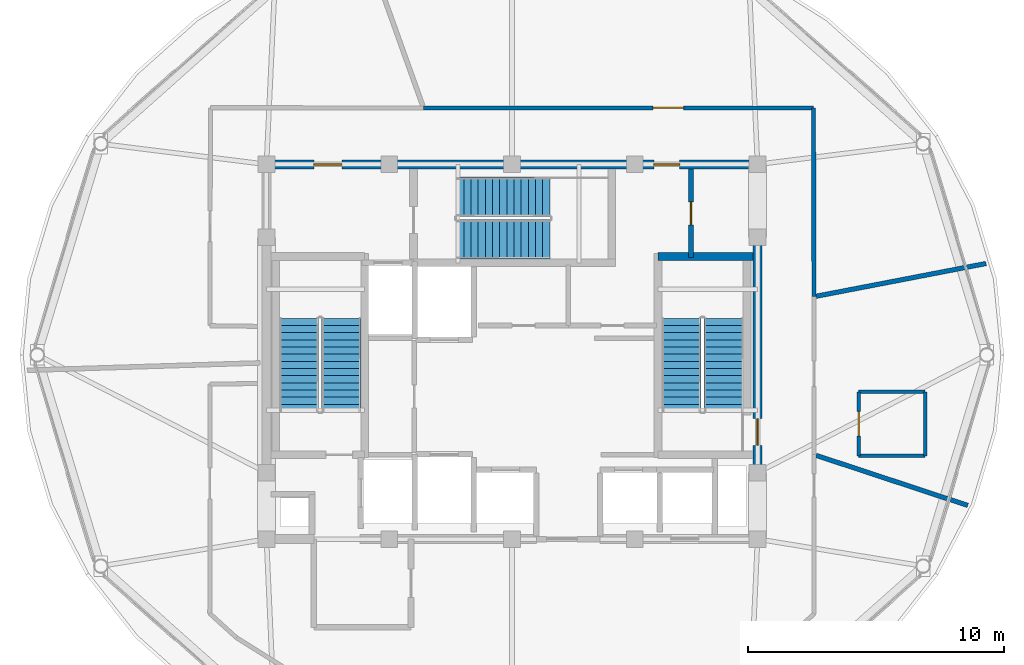
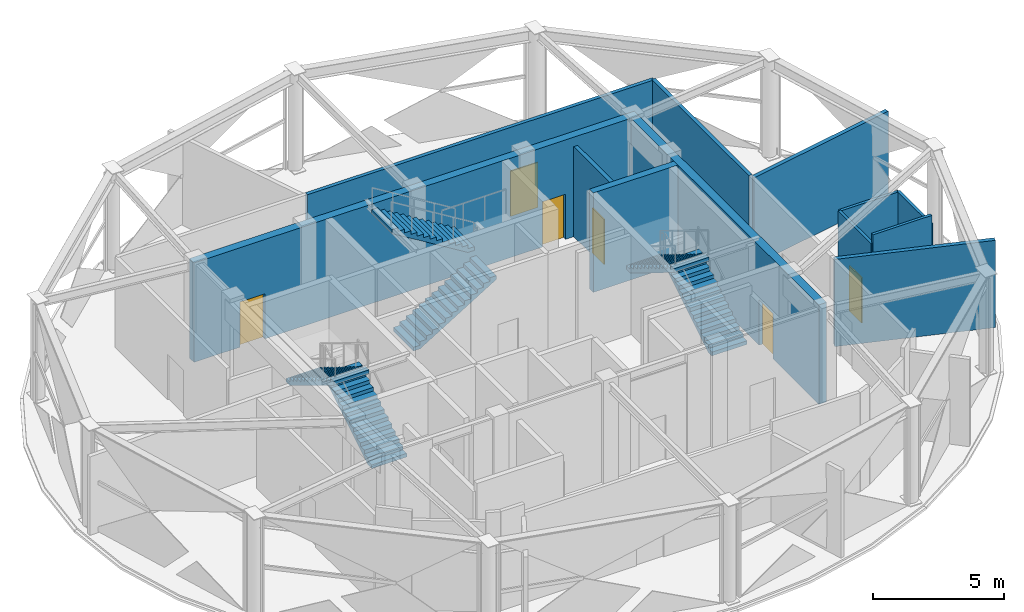
# One storey, part 18 of 22: 12 walls, 6 doors, 6 stair flights, 6 openings, 3 elements without a shape of their own.
"""IFC4 building model written with IfcOpenShell, lengths in metres."""

import ifcopenshell
import ifcopenshell.guid

model = None  # the IFC model being written
_history = None  # IfcOwnerHistory: only IFC2X3 demands one
_inside = {}  # id of a spatial element -> (the spatial element, [elements in it])
_under = {}  # id of a project, library or spatial element -> (it, [spatial elements below it])
_declared = {}  # id of a project -> (the project, [libraries it declares])
_typed = {}  # id of a type object -> (the type object, [elements of that type])
_made_of = {}  # id of a material, layer set ... -> (it, [elements and type objects made of it])


def new_model(schema):
    """Start an empty IFC model of exactly this schema.

    Asked for "IFC4X3", IfcOpenShell would pick the latest addendum, in which some entities
    have other attributes; the version numbers below select the first issue.
    IFC2X3 requires an IfcOwnerHistory on every rooted entity: one is made here for all.
    """
    global model, _history
    if schema == "IFC4X3":
        model = ifcopenshell.file(schema_version=(4, 3, 0, 0))
    else:
        model = ifcopenshell.file(schema=schema)
    _inside.clear()
    _under.clear()
    _declared.clear()
    _typed.clear()
    _made_of.clear()
    _history = None
    if model.schema == "IFC2X3":
        org = make("IfcOrganization", Name="unknown")
        user = make(
            "IfcPersonAndOrganization",
            ThePerson=make("IfcPerson", FamilyName="unknown"),
            TheOrganization=org,
        )
        app = make(
            "IfcApplication",
            ApplicationDeveloper=org,
            Version="unknown",
            ApplicationFullName="unknown",
            ApplicationIdentifier="unknown",
        )
        _history = make(
            "IfcOwnerHistory",
            OwningUser=user,
            OwningApplication=app,
            ChangeAction="ADDED",
            CreationDate=0,
        )
    return model


def make(cls, **values):
    """One entity of the class cls with the attributes given. An attribute that is None is left unset."""
    return model.create_entity(
        cls, **{name: value for name, value in values.items() if value is not None}
    )


def rooted(cls, **values):
    """An entity with a GlobalId (a new one), such as an element, a storey or a relation."""
    return make(cls, GlobalId=ifcopenshell.guid.new(), OwnerHistory=_history, **values)


def si_unit(unit_type, name, prefix=None):
    """IfcSIUnit, for example si_unit("LENGTHUNIT", "METRE", prefix="MILLI")."""
    return make("IfcSIUnit", UnitType=unit_type, Prefix=prefix, Name=name)


def assignment(units):
    """IfcUnitAssignment: the units of a project."""
    return None if units is None else make("IfcUnitAssignment", Units=units)


def point(xyz):
    """IfcCartesianPoint."""
    return None if xyz is None else make("IfcCartesianPoint", Coordinates=xyz)


def direction(xyz):
    """IfcDirection."""
    return None if xyz is None else make("IfcDirection", DirectionRatios=xyz)


def frame(location, z_axis=None, x_axis=None):
    """IfcAxis2Placement3D, a coordinate frame: its origin and axes. An axis left out is left unset."""
    return make(
        "IfcAxis2Placement3D",
        Location=point(location),
        Axis=direction(z_axis),
        RefDirection=direction(x_axis),
    )


def frame_2d(location, x_axis=None):
    """IfcAxis2Placement2D, a coordinate frame in the plane: its origin and x axis."""
    return make(
        "IfcAxis2Placement2D", Location=point(location), RefDirection=direction(x_axis)
    )


def origin():
    """The frame at (0, 0, 0) with its axes left unset."""
    return frame((0.0, 0.0, 0.0))


def place(relative_to, where):
    """IfcLocalPlacement: puts the frame where relative to a parent placement (None: the world)."""
    return make(
        "IfcLocalPlacement", PlacementRelTo=relative_to, RelativePlacement=where
    )


def context(
    kind, dimensions, precision=None, world=None, true_north=None, identifier=None
):
    """IfcGeometricRepresentationContext, for example the 3D "Model" context."""
    return make(
        "IfcGeometricRepresentationContext",
        ContextIdentifier=identifier,
        ContextType=kind,
        CoordinateSpaceDimension=dimensions,
        Precision=precision,
        WorldCoordinateSystem=world,
        TrueNorth=true_north,
    )


def subcontext(parent, identifier, kind, view, scale=None):
    """IfcGeometricRepresentationSubContext, for example "Body" below "Model"."""
    return make(
        "IfcGeometricRepresentationSubContext",
        ContextIdentifier=identifier,
        ContextType=kind,
        ParentContext=parent,
        TargetScale=scale,
        TargetView=view,
    )


def project(units=None, contexts=None):
    """IfcProject with its units and contexts."""
    return rooted(
        "IfcProject",
        Name="project",
        RepresentationContexts=contexts,
        UnitsInContext=assignment(units),
    )


def spatial(cls, under=None, at=None, **own):
    """A site, building, storey or space (cls), placed at a placement, below another one or the project."""
    s = rooted(cls, ObjectPlacement=at, **own)
    if under is not None:
        _under.setdefault(under.id(), (under, []))[1].append(s)
    return s


def polyline(points):
    """IfcPolyline through the points."""
    return make("IfcPolyline", Points=[point(p) for p in points])


def profile(cls, at=None, kind="AREA", **sizes):
    """A parametric profile (cls). Its sizes go by their IFC names, for example OverallWidth=200.0."""
    return make(cls, ProfileType=kind, Position=at, **sizes)


def rectangle(**sizes):
    """IfcRectangleProfileDef."""
    return profile("IfcRectangleProfileDef", **sizes)


def outline(outer, holes=None, kind="AREA"):
    """IfcArbitraryClosedProfileDef: a profile drawn as a closed curve; with holes, ...WithVoids."""
    if holes is None:
        return make("IfcArbitraryClosedProfileDef", ProfileType=kind, OuterCurve=outer)
    return make(
        "IfcArbitraryProfileDefWithVoids",
        ProfileType=kind,
        OuterCurve=outer,
        InnerCurves=holes,
    )


def extrude(swept, where, along, depth):
    """IfcExtrudedAreaSolid: the profile swept, set in the frame where, extruded along a direction by depth."""
    return make(
        "IfcExtrudedAreaSolid",
        SweptArea=swept,
        Position=where,
        ExtrudedDirection=direction(along),
        Depth=depth,
    )


def shape(context_of_items, identifier, shape_type, items):
    """IfcShapeRepresentation: the items that make up one representation, for example the "Body"."""
    return make(
        "IfcShapeRepresentation",
        ContextOfItems=context_of_items,
        RepresentationIdentifier=identifier,
        RepresentationType=shape_type,
        Items=items,
    )


def material(Name=None, Category=None):
    """IfcMaterial."""
    return make("IfcMaterial", Name=Name, Category=Category)


def layer(
    of_material, thickness, ventilated=None, Name=None, Category=None, Priority=None
):
    """IfcMaterialLayer: one layer of a wall or slab, of a material (None: an air gap)."""
    return make(
        "IfcMaterialLayer",
        Material=of_material,
        LayerThickness=thickness,
        IsVentilated=ventilated,
        Name=Name,
        Category=Category,
        Priority=Priority,
    )


def layer_set(layers, Name=None):
    """IfcMaterialLayerSet."""
    return make("IfcMaterialLayerSet", MaterialLayers=layers, LayerSetName=Name)


def made_of(thing, what):
    """Note that an element or type object is made of a material, layer set ...; save() writes the relation."""
    if what is not None:
        _made_of.setdefault(what.id(), (what, []))[1].append(thing)
    return thing


def type_object(cls, material=None, **own):
    """A type object (cls), such as IfcWallType, which elements share."""
    return made_of(rooted(cls, **own), material)


def element(
    cls,
    number,
    at=None,
    inside=None,
    cuts=None,
    type_object=None,
    material=None,
    context=None,
    identifier="Body",
    shape_type=None,
    held_by="IfcProductDefinitionShape",
    body=None,
    shapes=None,
    **own,
):
    """One element of the class cls, such as IfcWall. Its Tag is "e" and its number.

    at: its placement. inside: the storey or other place that contains it. cuts: it is an
    opening in that element (IfcRelVoidsElement). A single representation is given by context,
    identifier, shape_type and body (its items); several are given by shapes. held_by: the class
    of the entity that holds the representations. save() writes the other relations.
    """
    e = rooted(cls, Tag="e%d" % number, ObjectPlacement=at, **own)
    if body is not None:
        shapes = [shape(context, identifier, shape_type, body)]
    if shapes is not None:
        e.Representation = make(held_by, Representations=shapes)
    if inside is not None:
        _inside.setdefault(inside.id(), (inside, []))[1].append(e)
    if cuts is not None:
        rooted(
            "IfcRelVoidsElement", RelatingBuildingElement=cuts, RelatedOpeningElement=e
        )
    if type_object is not None:
        _typed.setdefault(type_object.id(), (type_object, []))[1].append(e)
    return made_of(e, material)


def fill(opening, filler):
    """IfcRelFillsElement: the door or window that sits in an opening."""
    return rooted(
        "IfcRelFillsElement",
        RelatingOpeningElement=opening,
        RelatedBuildingElement=filler,
    )


def aggregate(whole, parts):
    """IfcRelAggregates: a whole, such as a stair, and the parts it consists of."""
    return rooted("IfcRelAggregates", RelatingObject=whole, RelatedObjects=parts)


def save(model, path):
    """Write the relations noted so far, then the file.

    IfcRelAggregates (storeys below a building ...), IfcRelContainedInSpatialStructure (elements
    in a storey), IfcRelDefinesByType, IfcRelAssociatesMaterial and IfcRelDeclares: one each for
    every whole, place, type object, material and project.
    """
    for whole, parts in _under.values():
        aggregate(whole, parts)
    for where, things in _inside.values():
        rooted(
            "IfcRelContainedInSpatialStructure",
            RelatedElements=things,
            RelatingStructure=where,
        )
    for kind, things in _typed.values():
        rooted("IfcRelDefinesByType", RelatedObjects=things, RelatingType=kind)
    for what, things in _made_of.values():
        rooted("IfcRelAssociatesMaterial", RelatedObjects=things, RelatingMaterial=what)
    for by, libraries in _declared.values():
        rooted("IfcRelDeclares", RelatingContext=by, RelatedDefinitions=libraries)
    model.write(path)


model = new_model("IFC4")

# Units and contexts
model_context = context("Model", 3, precision=1e-05, world=origin(), true_north=direction((0.0, 1.0)))
body_context = subcontext(model_context, "Body", "Model", "MODEL_VIEW")
ifc_project = project(units=[si_unit("LENGTHUNIT", "METRE"), si_unit("AREAUNIT", "SQUARE_METRE"), si_unit("VOLUMEUNIT", "CUBIC_METRE"), si_unit("PLANEANGLEUNIT", "RADIAN"), si_unit("MASSUNIT", "GRAM", prefix="KILO")], contexts=[model_context])

# Site, building, storey
site_placement = place(None, origin())
site = spatial("IfcSite", under=ifc_project, at=site_placement, CompositionType="ELEMENT")
building_placement = place(site_placement, origin())
building = spatial("IfcBuilding", under=site, at=building_placement, Name="Vantalir Tower", CompositionType="ELEMENT")
storey_placement = place(building_placement, frame((0.0, 0.0, 294.89990234375)))
storey = spatial("IfcBuildingStorey", under=building, at=storey_placement, Name="L74", CompositionType="ELEMENT", Elevation=294.89990234375)

# Walls
ifc_material_1 = material(Name="Moisture-resistant en-suite partition", Category="gypsum")
ifc_layer_1 = layer(ifc_material_1, 0.125)
ifc_layer_set_1 = layer_set([ifc_layer_1], Name="Moisture-resistant en-suite partition")
wall_type_1 = type_object("IfcWallType", Name="WL-BATH-125", PredefinedType="PARTITIONING", material=ifc_layer_set_1)
wall_1_placement = place(storey_placement, frame((45.052978515625, 21.056884765625, 0.0), z_axis=(0.0, 0.0, 1.0), x_axis=(1.0, 0.0, 0.0)))
element("IfcWall", 1, at=wall_1_placement, inside=storey, type_object=wall_type_1, Name="L74 Accessible WC South Wall", PredefinedType="PARTITIONING", context=body_context, shape_type="SweptSolid", body=[
    extrude(rectangle(XDim=2.60009765625, YDim=0.125, at=frame_2d((1.300048828125, 0.0))), origin(), (0.0, 0.0, 1.0), 4.60009765625),
])
wall_2_placement = place(storey_placement, frame((45.052978515625, 23.556884765625, 0.0), z_axis=(0.0, 0.0, 1.0), x_axis=(1.0, 0.0, 0.0)))
element("IfcWall", 2, at=wall_2_placement, inside=storey, type_object=wall_type_1, Name="L74 Accessible WC North Wall", PredefinedType="PARTITIONING", context=body_context, shape_type="SweptSolid", body=[
    extrude(rectangle(XDim=2.60009765625, YDim=0.125, at=frame_2d((1.300048828125, 0.0))), origin(), (0.0, 0.0, 1.0), 4.18310546875),
])

# Wall, opening, door
wall_3_placement = place(storey_placement, frame((45.052978515625, 21.056884765625, 0.0), z_axis=(0.0, 0.0, 1.0), x_axis=(0.0, 1.0, 0.0)))
wall_3 = element("IfcWall", 3, at=wall_3_placement, inside=storey, type_object=wall_type_1, Name="L74 Accessible WC West Wall", PredefinedType="PARTITIONING", context=body_context, shape_type="SweptSolid", body=[
    extrude(rectangle(XDim=2.5, YDim=0.125, at=frame_2d((1.25, 0.0))), origin(), (0.0, 0.0, 1.0), 4.18310546875),
])
opening_1_placement = place(wall_3_placement, frame((0.77490234375, 0.0, 0.0)))
opening_1 = element("IfcOpeningElement", 4, at=opening_1_placement, cuts=wall_3, Name="Opening D-AWC", PredefinedType="OPENING", context=body_context, shape_type="SweptSolid", body=[
    extrude(rectangle(XDim=0.949951171875, YDim=2.10009765625, at=frame_2d((0.47509765625, 1.050048828125))), frame((0.0, 0.072509765625, 0.0), z_axis=(0.0, -1.0, 0.0), x_axis=(1.0, 0.0, 0.0)), (0.0, 0.0, 1.0), 0.14501953125),
])
ifc_material_2 = material(Name="Accessible toilet outward-opening hardwood door", Category="wood")
door_type_1 = type_object("IfcDoorType", Name="DR-ACC-WC-950", OperationType="NOTDEFINED", PredefinedType="DOOR", material=ifc_material_2)
door_1_placement = place(opening_1_placement, origin())
door_1 = element("IfcDoor", 5, at=door_1_placement, inside=storey, type_object=door_type_1, Name="L74 Accessible WC Door", OperationType="SINGLE_SWING_LEFT", OverallHeight=2.10009765625, OverallWidth=0.949951171875, PredefinedType="DOOR", context=body_context, shape_type="SweptSolid", body=[
    extrude(rectangle(XDim=0.949951171875, YDim=2.10009765625, at=frame_2d((0.47509765625, 1.050048828125))), frame((0.0, 0.02490234375, 0.0), z_axis=(0.0, -1.0, 0.0), x_axis=(1.0, 0.0, 0.0)), (0.0, 0.0, 1.0), 0.050048828125),
])
fill(opening_1, door_1)

# Wall
wall_4_placement = place(storey_placement, frame((47.653076171875, 21.056884765625, 0.0), z_axis=(0.0, 0.0, 1.0), x_axis=(0.0, 1.0, 0.0)))
element("IfcWall", 6, at=wall_4_placement, inside=storey, type_object=wall_type_1, Name="L74 Accessible WC East Wall", PredefinedType="PARTITIONING", context=body_context, shape_type="SweptSolid", body=[
    extrude(rectangle(XDim=2.5, YDim=0.125, at=frame_2d((1.25, 0.0))), origin(), (0.0, 0.0, 1.0), 4.18310546875),
])

# Wall, openings, doors
ifc_material_3 = material(Name="Concrete C50/60", Category="concrete")
ifc_layer_2 = layer(ifc_material_3, 0.35009765625)
ifc_layer_set_2 = layer_set([ifc_layer_2], Name="Concrete C50/60")
wall_type_2 = type_object("IfcWallType", Name="WL-CORE-350", PredefinedType="SHEAR", material=ifc_layer_set_2)
wall_5_placement = place(storey_placement, frame((21.72509765625, 32.449951171875, 0.0), z_axis=(0.0, 0.0, 1.0), x_axis=(1.0, 0.0, 0.0)))
wall_5 = element("IfcWall", 7, at=wall_5_placement, inside=storey, type_object=wall_type_2, Name="L74 Core Shear Wall North", PredefinedType="SHEAR", context=body_context, shape_type="SweptSolid", body=[
    extrude(rectangle(XDim=19.5498046875, YDim=0.35009765625, at=frame_2d((9.77490234375, 0.0))), origin(), (0.0, 0.0, 1.0), 4.6201171875),
])
opening_2_placement = place(wall_5_placement, frame((2.02490234375, 0.0, 0.0)))
opening_2 = element("IfcOpeningElement", 8, at=opening_2_placement, cuts=wall_5, Name="Opening D-FFL", PredefinedType="OPENING", context=body_context, shape_type="SweptSolid", body=[
    extrude(rectangle(XDim=1.10009765625, YDim=2.10009765625, at=frame_2d((0.550048828125, 1.050048828125))), frame((0.0, 0.18505859375, 0.0), z_axis=(0.0, -1.0, 0.0), x_axis=(1.0, 0.0, 0.0)), (0.0, 0.0, 1.0), 0.3701171875),
])
opening_3_placement = place(wall_5_placement, frame((15.324951171875, 0.0, 0.0)))
opening_3 = element("IfcOpeningElement", 9, at=opening_3_placement, cuts=wall_5, Name="Opening D-GUEST", PredefinedType="OPENING", context=body_context, shape_type="SweptSolid", body=[
    extrude(rectangle(XDim=1.0, YDim=2.10009765625, at=frame_2d((0.5, 1.050048828125))), frame((0.0, 0.18505859375, 0.0), z_axis=(0.0, -1.0, 0.0), x_axis=(1.0, 0.0, 0.0)), (0.0, 0.0, 1.0), 0.3701171875),
])
ifc_material_4 = material(Name="Fire-rated acoustic steel door", Category="steel")
door_type_2 = type_object("IfcDoorType", Name="DR-FIRE-LOBBY-1100", OperationType="NOTDEFINED", PredefinedType="DOOR", material=ifc_material_4)
door_2_placement = place(opening_2_placement, frame((1.10009765625, 0.0, 0.0), z_axis=(0.0, 0.0, 1.0), x_axis=(-1.0, 0.0, 0.0)))
door_2 = element("IfcDoor", 10, at=door_2_placement, inside=storey, type_object=door_type_2, Name="L74 Firefighting Lobby East Access Door", OperationType="SINGLE_SWING_RIGHT", OverallHeight=2.10009765625, OverallWidth=1.10009765625, PredefinedType="DOOR", context=body_context, shape_type="SweptSolid", body=[
    extrude(rectangle(XDim=1.10009765625, YDim=2.10009765625, at=frame_2d((0.550048828125, 1.050048828125))), frame((0.0, 0.02490234375, 0.0), z_axis=(0.0, -1.0, 0.0), x_axis=(1.0, 0.0, 0.0)), (0.0, 0.0, 1.0), 0.050048828125),
])
fill(opening_2, door_2)
ifc_material_5 = material(Name="Solid-core teak veneer acoustic fire door", Category="wood")
door_type_3 = type_object("IfcDoorType", Name="DR-GUEST-ENTRY-1000", OperationType="NOTDEFINED", PredefinedType="DOOR", material=ifc_material_5)
door_3_placement = place(opening_3_placement, frame((1.0, 0.0, 0.0), z_axis=(0.0, 0.0, 1.0), x_axis=(-1.0, 0.0, 0.0)))
door_3 = element("IfcDoor", 11, at=door_3_placement, inside=storey, type_object=door_type_3, Name="L74 North Core Service Lobby Door", OperationType="SINGLE_SWING_LEFT", OverallHeight=2.10009765625, OverallWidth=1.0, PredefinedType="DOOR", context=body_context, shape_type="SweptSolid", body=[
    extrude(rectangle(XDim=1.0, YDim=2.10009765625, at=frame_2d((0.5, 1.050048828125))), frame((0.0, 0.02490234375, 0.0), z_axis=(0.0, -1.0, 0.0), x_axis=(1.0, 0.0, 0.0)), (0.0, 0.0, 1.0), 0.050048828125),
])
fill(opening_3, door_3)

# Wall, opening, door
wall_6_placement = place(storey_placement, frame((41.10009765625, 17.97509765625, 0.0), z_axis=(0.0, 0.0, 1.0), x_axis=(0.0, 1.0, 0.0)))
wall_6 = element("IfcWall", 12, at=wall_6_placement, inside=storey, type_object=wall_type_2, Name="L74 Core Shear Wall East", PredefinedType="SHEAR", context=body_context, shape_type="SweptSolid", body=[
    extrude(rectangle(XDim=14.2998046875, YDim=0.35009765625, at=frame_2d((7.14990234375, 0.0))), origin(), (0.0, 0.0, 1.0), 4.6201171875),
])
opening_4_placement = place(wall_6_placement, frame((3.485107421875, 0.0, 0.0)))
opening_4 = element("IfcOpeningElement", 13, at=opening_4_placement, cuts=wall_6, Name="Opening D-ST", PredefinedType="OPENING", context=body_context, shape_type="SweptSolid", body=[
    extrude(rectangle(XDim=1.050048828125, YDim=2.10009765625, at=frame_2d((0.52490234375, 1.050048828125))), frame((0.0, 0.18505859375, 0.0), z_axis=(0.0, -1.0, 0.0), x_axis=(1.0, 0.0, 0.0)), (0.0, 0.0, 1.0), 0.3701171875),
])
ifc_material_6 = material(Name="Fire-rated steel door leaf", Category="steel")
door_type_4 = type_object("IfcDoorType", Name="DR-FIRE-STAIR-1050", OperationType="NOTDEFINED", PredefinedType="DOOR", material=ifc_material_6)
door_4_placement = place(opening_4_placement, origin())
door_4 = element("IfcDoor", 14, at=door_4_placement, inside=storey, type_object=door_type_4, Name="L74 Exit Stair ST2 Fire Door", OperationType="SINGLE_SWING_LEFT", OverallHeight=2.10009765625, OverallWidth=1.050048828125, PredefinedType="DOOR", context=body_context, shape_type="SweptSolid", body=[
    extrude(rectangle(XDim=1.050048828125, YDim=2.10009765625, at=frame_2d((0.52490234375, 1.050048828125))), frame((0.0, 0.02490234375, 0.0), z_axis=(0.0, -1.0, 0.0), x_axis=(1.0, 0.0, 0.0)), (0.0, 0.0, 1.0), 0.050048828125),
])
fill(opening_4, door_4)

ifc_material_7 = material(Name="Fire-rated hotel corridor acoustic partition", Category="gypsum")
ifc_layer_3 = layer(ifc_material_7, 0.159912109375)
ifc_layer_set_3 = layer_set([ifc_layer_3], Name="Fire-rated hotel corridor acoustic partition")
wall_type_3 = type_object("IfcWallType", Name="WL-CORR-160", PredefinedType="PARTITIONING", material=ifc_layer_set_3)
wall_7_placement = place(storey_placement, frame((28.041015625, 34.660888671875, 0.0), z_axis=(0.0, 0.0, 1.0), x_axis=(0.99999999795, -6.4024585e-05, 0.0)))
wall_7 = element("IfcWall", 15, at=wall_7_placement, inside=storey, type_object=wall_type_3, Name="L74 Corridor Partition 04", PredefinedType="PARTITIONING", context=body_context, shape_type="SweptSolid", body=[
    extrude(rectangle(XDim=15.2529296875, YDim=0.159912109375, at=frame_2d((7.62646484375, 0.0))), origin(), (0.0, 0.0, 1.0), 4.18310546875),
])
opening_5_placement = place(wall_7_placement, frame((8.967041015625, 0.0, 0.0)))
opening_5 = element("IfcOpeningElement", 16, at=opening_5_placement, cuts=wall_7, Name="Opening D-STE", PredefinedType="OPENING", context=body_context, shape_type="SweptSolid", body=[
    extrude(rectangle(XDim=1.199951171875, YDim=2.10009765625, at=frame_2d((0.60009765625, 1.050048828125))), frame((0.0, 0.08984375, 0.0), z_axis=(0.0, -1.0, 0.0), x_axis=(1.0, 0.0, 0.0)), (0.0, 0.0, 1.0), 0.179931640625),
])
ifc_material_8 = material(Name="Solid-core teak veneer suite entrance door", Category="wood")
door_type_5 = type_object("IfcDoorType", Name="DR-SUITE-ENTRY-1200", OperationType="NOTDEFINED", PredefinedType="DOOR", material=ifc_material_8)
door_5_placement = place(opening_5_placement, origin())
door_5 = element("IfcDoor", 17, at=door_5_placement, inside=storey, type_object=door_type_5, Name="L74 Indoor 360 Observation Deck Door", OperationType="SINGLE_SWING_RIGHT", OverallHeight=2.10009765625, OverallWidth=1.199951171875, PredefinedType="DOOR", context=body_context, shape_type="SweptSolid", body=[
    extrude(rectangle(XDim=1.199951171875, YDim=2.10009765625, at=frame_2d((0.60009765625, 1.050048828125))), frame((0.0, 0.02490234375, 0.0), z_axis=(0.0, -1.0, 0.0), x_axis=(1.0, 0.0, 0.0)), (0.0, 0.0, 1.0), 0.050048828125),
])
fill(opening_5, door_5)

# Wall
wall_8_placement = place(storey_placement, frame((43.2939453125, 34.659912109375, 0.0), z_axis=(0.0, 0.0, 1.0), x_axis=(0.000826582624, -0.999999658381, 0.0)))
element("IfcWall", 18, at=wall_8_placement, inside=storey, type_object=wall_type_3, Name="L74 Corridor Partition 05", PredefinedType="PARTITIONING", context=body_context, shape_type="SweptSolid", body=[
    extrude(rectangle(XDim=7.384033203125, YDim=0.159912109375, at=frame_2d((3.69189453125, 0.0))), origin(), (0.0, 0.0, 1.0), 4.18310546875),
])

# Wall, opening, door
ifc_material_9 = material(Name="Twin-stud acoustic fire-rated gypsum partition", Category="gypsum")
ifc_layer_4 = layer(ifc_material_9, 0.179931640625)
ifc_layer_set_4 = layer_set([ifc_layer_4], Name="Twin-stud acoustic fire-rated gypsum partition")
wall_type_4 = type_object("IfcWallType", Name="WL-GUEST-180", PredefinedType="PARTITIONING", material=ifc_layer_set_4)
wall_9_placement = place(storey_placement, frame((38.5, 28.800048828125, 0.0), z_axis=(0.0, 0.0, 1.0), x_axis=(0.0, 1.0, 0.0)))
wall_9 = element("IfcWall", 19, at=wall_9_placement, inside=storey, type_object=wall_type_4, Name="L74 Core Switchroom Partition", PredefinedType="PARTITIONING", context=body_context, shape_type="SweptSolid", body=[
    extrude(rectangle(XDim=3.474853515625, YDim=0.179931640625, at=frame_2d((1.7373046875, 0.0))), origin(), (0.0, 0.0, 1.0), 4.18310546875),
])
opening_6_placement = place(wall_9_placement, frame((1.287109375, 0.0, 0.0)))
opening_6 = element("IfcOpeningElement", 20, at=opening_6_placement, cuts=wall_9, Name="Opening D-CR", PredefinedType="OPENING", context=body_context, shape_type="SweptSolid", body=[
    extrude(rectangle(XDim=0.89990234375, YDim=2.10009765625, at=frame_2d((0.449951171875, 1.050048828125))), frame((0.0, 0.099853515625, 0.0), z_axis=(0.0, -1.0, 0.0), x_axis=(1.0, 0.0, 0.0)), (0.0, 0.0, 1.0), 0.199951171875),
])
ifc_material_10 = material(Name="Fire-rated steel core service door", Category="steel")
door_type_6 = type_object("IfcDoorType", Name="DR-CORE-SERV-900", OperationType="NOTDEFINED", PredefinedType="DOOR", material=ifc_material_10)
door_6_placement = place(opening_6_placement, frame((0.89990234375, 0.0, 0.0), z_axis=(0.0, 0.0, 1.0), x_axis=(-1.0, 0.0, 0.0)))
door_6 = element("IfcDoor", 21, at=door_6_placement, inside=storey, type_object=door_type_6, Name="L74 Core Electrical Switchroom Door", OperationType="SINGLE_SWING_RIGHT", OverallHeight=2.10009765625, OverallWidth=0.89990234375, PredefinedType="DOOR", context=body_context, shape_type="SweptSolid", body=[
    extrude(rectangle(XDim=0.89990234375, YDim=2.10009765625, at=frame_2d((0.449951171875, 1.050048828125))), frame((0.0, 0.02490234375, 0.0), z_axis=(0.0, -1.0, 0.0), x_axis=(1.0, 0.0, 0.0)), (0.0, 0.0, 1.0), 0.050048828125),
])
fill(opening_6, door_6)

# Walls
wall_10_placement = place(storey_placement, frame((43.389892578125, 27.29296875, 0.0), z_axis=(0.0, 0.0, 1.0), x_axis=(0.981905394736, 0.189372109321, 0.0)))
element("IfcWall", 22, at=wall_10_placement, inside=storey, type_object=wall_type_4, Name="L74 Radial Suite Partition 01", PredefinedType="PARTITIONING", context=body_context, shape_type="SweptSolid", body=[
    extrude(rectangle(XDim=6.764404296875, YDim=0.179931640625, at=frame_2d((3.38232421875, 0.0))), origin(), (0.0, 0.0, 1.0), 4.052978515625),
])
wall_11_placement = place(storey_placement, frame((43.389892578125, 21.072998046875, 0.0), z_axis=(0.0, 0.0, 1.0), x_axis=(0.949563236254, -0.313575605483, 0.0)))
element("IfcWall", 23, at=wall_11_placement, inside=storey, type_object=wall_type_4, Name="L74 Radial Suite Partition 07", PredefinedType="PARTITIONING", context=body_context, shape_type="SweptSolid", body=[
    extrude(rectangle(XDim=6.244140625, YDim=0.179931640625, at=frame_2d((3.1220703125, 0.0))), origin(), (0.0, 0.0, 1.0), 4.052978515625),
])
ifc_layer_5 = layer(ifc_material_3, 0.300048828125)
ifc_layer_set_5 = layer_set([ifc_layer_5], Name="Concrete C50/60")
wall_type_5 = type_object("IfcWallType", Name="WL-STAIR-300", PredefinedType="SHEAR", material=ifc_layer_set_5)
wall_12_placement = place(storey_placement, frame((37.2099609375, 28.85009765625, 0.0), z_axis=(0.0, 0.0, 1.0), x_axis=(1.0, 0.0, 0.0)))
element("IfcWall", 24, at=wall_12_placement, inside=storey, type_object=wall_type_5, Name="L74 Stair ST2 North Wall", PredefinedType="SHEAR", context=body_context, shape_type="SweptSolid", body=[
    extrude(rectangle(XDim=3.715087890625, YDim=0.300048828125, at=frame_2d((1.857421875, 0.0))), origin(), (0.0, 0.0, 1.0), 4.6201171875),
])

# Stair, stair flights
ifc_material_11 = material(Name="Concrete C40/50", Category="concrete")
stair_type = type_object("IfcStairType", Name="STR-CORE-1450", PredefinedType="HALF_TURN_STAIR", material=ifc_material_11)
stair_1_placement = place(storey_placement, origin())
stair_1 = element("IfcStair", 25, at=stair_1_placement, inside=storey, type_object=stair_type, Name="L74 Core Exit Stair 1", PredefinedType="HALF_TURN_STAIR")
stair_flight_type = type_object("IfcStairFlightType", Name="FLT-CORE-1450", PredefinedType="STRAIGHT", material=ifc_material_11)
stair_flight_1_placement = place(storey_placement, frame((24.830078125, 22.7900390625, 0.0), z_axis=(0.0, 0.0, 1.0), x_axis=(0.0, 1.0, 0.0)))
stair_flight_1 = element("IfcStairFlight", 26, at=stair_flight_1_placement, type_object=stair_flight_type, Name="ST1 flight 1", NumberOfRisers=14, NumberOfTreads=13, PredefinedType="STRAIGHT", RiserHeight=0.171428571, TreadLength=0.28, context=body_context, shape_type="SweptSolid", body=[
    extrude(outline(polyline([(0.0, 0.0), (0.0, 0.17138671875), (0.280029296875, 0.17138671875), (0.280029296875, 0.3427734375), (0.56005859375, 0.3427734375), (0.56005859375, 0.514404296875), (0.840087890625, 0.514404296875), (0.840087890625, 0.685791015625), (1.1201171875, 0.685791015625), (1.1201171875, 0.857177734375), (1.39990234375, 0.857177734375), (1.39990234375, 1.028564453125), (1.679931640625, 1.028564453125), (1.679931640625, 1.199951171875), (1.9599609375, 1.199951171875), (1.9599609375, 1.371337890625), (2.239990234375, 1.371337890625), (2.239990234375, 1.54296875), (2.52001953125, 1.54296875), (2.52001953125, 1.71435546875), (2.800048828125, 1.71435546875), (2.800048828125, 1.8857421875), (3.080078125, 1.8857421875), (3.080078125, 2.05712890625), (3.360107421875, 2.05712890625), (3.360107421875, 2.228515625), (3.639892578125, 2.228515625), (3.639892578125, 2.39990234375), (3.639892578125, 2.052734375), (0.287109375, 0.0), (0.0, 0.0)])), frame((0.0, 0.77001953125, 0.0), z_axis=(0.0, -1.0, 0.0), x_axis=(1.0, 0.0, 0.0)), (0.0, 0.0, 1.0), 1.5400390625),
])
stair_flight_2_placement = place(storey_placement, frame((23.169921875, 26.429931640625, 2.400146484375), z_axis=(0.0, 0.0, 1.0), x_axis=(0.0, -1.0, 0.0)))
stair_flight_2 = element("IfcStairFlight", 27, at=stair_flight_2_placement, type_object=stair_flight_type, Name="ST1 flight 2", NumberOfRisers=14, NumberOfTreads=13, PredefinedType="STRAIGHT", RiserHeight=0.171428571, TreadLength=0.28, context=body_context, shape_type="SweptSolid", body=[
    extrude(outline(polyline([(0.0, 0.0), (0.0, 0.17138671875), (0.280029296875, 0.17138671875), (0.280029296875, 0.3427734375), (0.56005859375, 0.3427734375), (0.56005859375, 0.514404296875), (0.840087890625, 0.514404296875), (0.840087890625, 0.685791015625), (1.1201171875, 0.685791015625), (1.1201171875, 0.857177734375), (1.39990234375, 0.857177734375), (1.39990234375, 1.028564453125), (1.679931640625, 1.028564453125), (1.679931640625, 1.199951171875), (1.9599609375, 1.199951171875), (1.9599609375, 1.371337890625), (2.239990234375, 1.371337890625), (2.239990234375, 1.54296875), (2.52001953125, 1.54296875), (2.52001953125, 1.71435546875), (2.800048828125, 1.71435546875), (2.800048828125, 1.8857421875), (3.080078125, 1.8857421875), (3.080078125, 2.05712890625), (3.360107421875, 2.05712890625), (3.360107421875, 2.228515625), (3.639892578125, 2.228515625), (3.639892578125, 2.39990234375), (3.639892578125, 2.052734375), (0.287109375, 0.0), (0.0, 0.0)])), frame((0.0, 0.77001953125, 0.0), z_axis=(0.0, -1.0, 0.0), x_axis=(1.0, 0.0, 0.0)), (0.0, 0.0, 1.0), 1.5400390625),
])
aggregate(stair_1, [stair_flight_1, stair_flight_2])

stair_2_placement = place(storey_placement, origin())
stair_2 = element("IfcStair", 28, at=stair_2_placement, inside=storey, type_object=stair_type, Name="L74 Core Exit Stair 2", PredefinedType="HALF_TURN_STAIR")
stair_flight_3_placement = place(storey_placement, frame((39.780029296875, 22.7900390625, 0.0), z_axis=(0.0, 0.0, 1.0), x_axis=(0.0, 1.0, 0.0)))
stair_flight_3 = element("IfcStairFlight", 29, at=stair_flight_3_placement, type_object=stair_flight_type, Name="ST2 flight 1", NumberOfRisers=14, NumberOfTreads=13, PredefinedType="STRAIGHT", RiserHeight=0.171428571, TreadLength=0.28, context=body_context, shape_type="SweptSolid", body=[
    extrude(outline(polyline([(0.0, 0.0), (0.0, 0.17138671875), (0.280029296875, 0.17138671875), (0.280029296875, 0.3427734375), (0.56005859375, 0.3427734375), (0.56005859375, 0.514404296875), (0.840087890625, 0.514404296875), (0.840087890625, 0.685791015625), (1.1201171875, 0.685791015625), (1.1201171875, 0.857177734375), (1.39990234375, 0.857177734375), (1.39990234375, 1.028564453125), (1.679931640625, 1.028564453125), (1.679931640625, 1.199951171875), (1.9599609375, 1.199951171875), (1.9599609375, 1.371337890625), (2.239990234375, 1.371337890625), (2.239990234375, 1.54296875), (2.52001953125, 1.54296875), (2.52001953125, 1.71435546875), (2.800048828125, 1.71435546875), (2.800048828125, 1.8857421875), (3.080078125, 1.8857421875), (3.080078125, 2.05712890625), (3.360107421875, 2.05712890625), (3.360107421875, 2.228515625), (3.639892578125, 2.228515625), (3.639892578125, 2.39990234375), (3.639892578125, 2.052734375), (0.287109375, 0.0), (0.0, 0.0)])), frame((0.0, 0.77001953125, 0.0), z_axis=(0.0, -1.0, 0.0), x_axis=(1.0, 0.0, 0.0)), (0.0, 0.0, 1.0), 1.5400390625),
])
stair_flight_4_placement = place(storey_placement, frame((38.1201171875, 26.429931640625, 2.400146484375), z_axis=(0.0, 0.0, 1.0), x_axis=(0.0, -1.0, 0.0)))
stair_flight_4 = element("IfcStairFlight", 30, at=stair_flight_4_placement, type_object=stair_flight_type, Name="ST2 flight 2", NumberOfRisers=14, NumberOfTreads=13, PredefinedType="STRAIGHT", RiserHeight=0.171428571, TreadLength=0.28, context=body_context, shape_type="SweptSolid", body=[
    extrude(outline(polyline([(0.0, 0.0), (0.0, 0.17138671875), (0.280029296875, 0.17138671875), (0.280029296875, 0.3427734375), (0.56005859375, 0.3427734375), (0.56005859375, 0.514404296875), (0.840087890625, 0.514404296875), (0.840087890625, 0.685791015625), (1.1201171875, 0.685791015625), (1.1201171875, 0.857177734375), (1.39990234375, 0.857177734375), (1.39990234375, 1.028564453125), (1.679931640625, 1.028564453125), (1.679931640625, 1.199951171875), (1.9599609375, 1.199951171875), (1.9599609375, 1.371337890625), (2.239990234375, 1.371337890625), (2.239990234375, 1.54296875), (2.52001953125, 1.54296875), (2.52001953125, 1.71435546875), (2.800048828125, 1.71435546875), (2.800048828125, 1.8857421875), (3.080078125, 1.8857421875), (3.080078125, 2.05712890625), (3.360107421875, 2.05712890625), (3.360107421875, 2.228515625), (3.639892578125, 2.228515625), (3.639892578125, 2.39990234375), (3.639892578125, 2.052734375), (0.287109375, 0.0), (0.0, 0.0)])), frame((0.0, 0.77001953125, 0.0), z_axis=(0.0, -1.0, 0.0), x_axis=(1.0, 0.0, 0.0)), (0.0, 0.0, 1.0), 1.5400390625),
])
aggregate(stair_2, [stair_flight_3, stair_flight_4])

stair_3_placement = place(storey_placement, origin())
stair_3 = element("IfcStair", 31, at=stair_3_placement, inside=storey, type_object=stair_type, Name="L74 Core Exit Stair 3", PredefinedType="HALF_TURN_STAIR")
stair_flight_5_placement = place(storey_placement, frame((29.340087890625, 29.52001953125, 0.0), z_axis=(0.0, 0.0, 1.0), x_axis=(1.0, 0.0, 0.0)))
stair_flight_5 = element("IfcStairFlight", 32, at=stair_flight_5_placement, type_object=stair_flight_type, Name="ST3 flight 1", NumberOfRisers=14, NumberOfTreads=13, PredefinedType="STRAIGHT", RiserHeight=0.171428571, TreadLength=0.28, context=body_context, shape_type="SweptSolid", body=[
    extrude(outline(polyline([(0.0, 0.0), (0.0, 0.17138671875), (0.280029296875, 0.17138671875), (0.280029296875, 0.3427734375), (0.56005859375, 0.3427734375), (0.56005859375, 0.514404296875), (0.840087890625, 0.514404296875), (0.840087890625, 0.685791015625), (1.1201171875, 0.685791015625), (1.1201171875, 0.857177734375), (1.39990234375, 0.857177734375), (1.39990234375, 1.028564453125), (1.679931640625, 1.028564453125), (1.679931640625, 1.199951171875), (1.9599609375, 1.199951171875), (1.9599609375, 1.371337890625), (2.239990234375, 1.371337890625), (2.239990234375, 1.54296875), (2.52001953125, 1.54296875), (2.52001953125, 1.71435546875), (2.800048828125, 1.71435546875), (2.800048828125, 1.8857421875), (3.080078125, 1.8857421875), (3.080078125, 2.05712890625), (3.360107421875, 2.05712890625), (3.360107421875, 2.228515625), (3.639892578125, 2.228515625), (3.639892578125, 2.39990234375), (3.639892578125, 2.052734375), (0.287109375, 0.0), (0.0, 0.0)])), frame((0.0, 0.77001953125, 0.0), z_axis=(0.0, -1.0, 0.0), x_axis=(1.0, 0.0, 0.0)), (0.0, 0.0, 1.0), 1.5400390625),
])
stair_flight_6_placement = place(storey_placement, frame((32.97998046875, 31.179931640625, 2.400146484375), z_axis=(0.0, 0.0, 1.0), x_axis=(-1.0, 0.0, 0.0)))
stair_flight_6 = element("IfcStairFlight", 33, at=stair_flight_6_placement, type_object=stair_flight_type, Name="ST3 flight 2", NumberOfRisers=14, NumberOfTreads=13, PredefinedType="STRAIGHT", RiserHeight=0.171428571, TreadLength=0.28, context=body_context, shape_type="SweptSolid", body=[
    extrude(outline(polyline([(0.0, 0.0), (0.0, 0.17138671875), (0.280029296875, 0.17138671875), (0.280029296875, 0.3427734375), (0.56005859375, 0.3427734375), (0.56005859375, 0.514404296875), (0.840087890625, 0.514404296875), (0.840087890625, 0.685791015625), (1.1201171875, 0.685791015625), (1.1201171875, 0.857177734375), (1.39990234375, 0.857177734375), (1.39990234375, 1.028564453125), (1.679931640625, 1.028564453125), (1.679931640625, 1.199951171875), (1.9599609375, 1.199951171875), (1.9599609375, 1.371337890625), (2.239990234375, 1.371337890625), (2.239990234375, 1.54296875), (2.52001953125, 1.54296875), (2.52001953125, 1.71435546875), (2.800048828125, 1.71435546875), (2.800048828125, 1.8857421875), (3.080078125, 1.8857421875), (3.080078125, 2.05712890625), (3.360107421875, 2.05712890625), (3.360107421875, 2.228515625), (3.639892578125, 2.228515625), (3.639892578125, 2.39990234375), (3.639892578125, 2.052734375), (0.287109375, 0.0), (0.0, 0.0)])), frame((0.0, 0.77001953125, 0.0), z_axis=(0.0, -1.0, 0.0), x_axis=(1.0, 0.0, 0.0)), (0.0, 0.0, 1.0), 1.5400390625),
])
aggregate(stair_3, [stair_flight_5, stair_flight_6])

save(model, "model.ifc")
